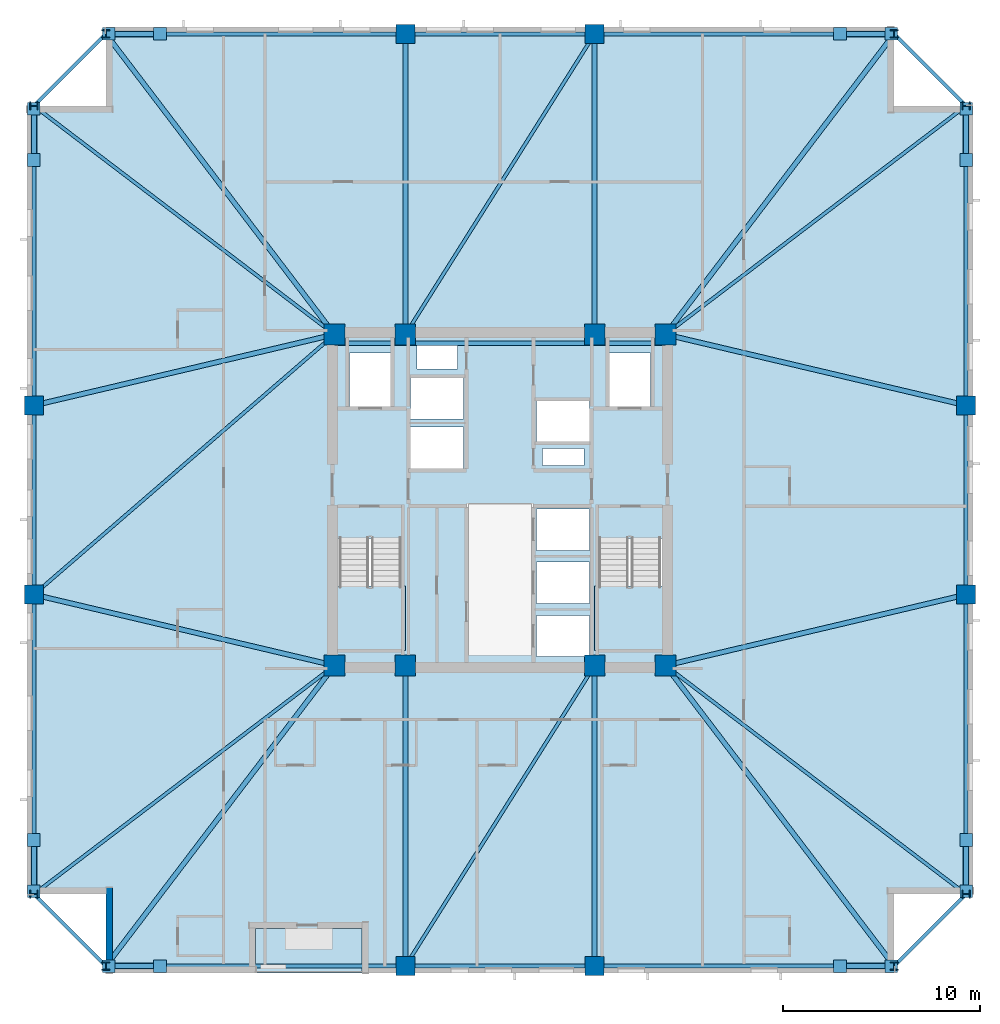
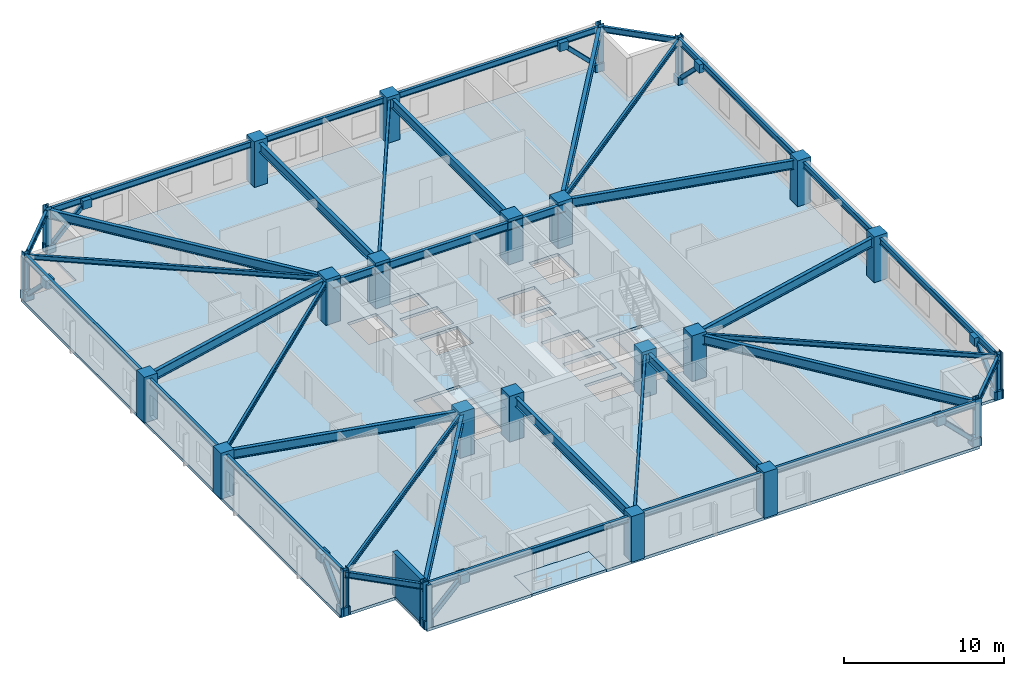
# One storey, part 1 of 11: 38 beams, 24 columns, 16 plates, 8 members, 4 slabs, 1 wall, 2 elements without a shape of their own.
"""IFC4 building model written with IfcOpenShell, lengths in metres."""

from ifc_helpers import new_model, si_unit, direction, frame, frame_2d, origin, origin_2d, place, context, subcontext, project, spatial, polyline, rectangle, hollow_rectangle, i_section, outline, extrude, material, layer, layer_set, material_profile, profile_set, type_object, element, aggregate, save


model = new_model("IFC4")

# Units and contexts
model_context = context("Model", 3, precision=1e-05, world=origin(), true_north=direction((0.0, 1.0)))
body_context = subcontext(model_context, "Body", "Model", "MODEL_VIEW")
ifc_project = project(units=[si_unit("LENGTHUNIT", "METRE"), si_unit("AREAUNIT", "SQUARE_METRE"), si_unit("VOLUMEUNIT", "CUBIC_METRE"), si_unit("PLANEANGLEUNIT", "RADIAN"), si_unit("MASSUNIT", "GRAM", prefix="KILO")], contexts=[model_context])

# Site, building, storey
site_placement = place(None, origin())
site = spatial("IfcSite", under=ifc_project, at=site_placement, CompositionType="ELEMENT")
building_placement = place(site_placement, origin())
building = spatial("IfcBuilding", under=site, at=building_placement, Name="Cairnveth Concourse Tower", CompositionType="ELEMENT")
storey_placement = place(building_placement, frame((0.0, 0.0, 141.0)))
storey = spatial("IfcBuildingStorey", under=building, at=storey_placement, Name="L38", CompositionType="ELEMENT", Elevation=141.0)

# Columns
ifc_material_1 = material(Name="Concrete N65 (65 MPa)", Category="concrete")
ifc_material_profile_1 = material_profile(ifc_material_1, rectangle(XDim=1.050048828125, YDim=1.050048828125, at=origin_2d()), Name="RC-COL-1050x1050")
ifc_profile_set_1 = profile_set([ifc_material_profile_1], Name="Concrete N65 (65 MPa)")
column_type_1 = type_object("IfcColumnType", Name="CORE COLUMN 1050X1050", PredefinedType="COLUMN", material=ifc_profile_set_1)
for number, where, z_axis, x_axis, name in (
    (1, (43.60009765625, 30.60009765625, 0.0), (0.0, 0.0, 1.0), (1.0, 0.0, 0.0), "Column CC1 L38"),
    (2, (47.199951171875, 30.60009765625, 0.0), (0.0, 0.0, 1.0), (1.0, 0.0, 0.0), "Column CC2 L38"),
    (3, (56.800048828125, 30.60009765625, 0.0), (0.0, 0.0, 1.0), (1.0, 0.0, 0.0), "Column CC3 L38"),
    (4, (60.39990234375, 30.60009765625, 0.0), (0.0, 0.0, 1.0), (1.0, 0.0, 0.0), "Column CC4 L38"),
    (5, (43.60009765625, 47.39990234375, 0.0), (0.0, 0.0, 1.0), (1.0, 0.0, 0.0), "Column CC5 L38"),
    (6, (47.199951171875, 47.39990234375, 0.0), (0.0, 0.0, 1.0), (1.0, 0.0, 0.0), "Column CC6 L38"),
    (7, (56.800048828125, 47.39990234375, 0.0), (0.0, 0.0, 1.0), (1.0, 0.0, 0.0), "Column CC7 L38"),
    (8, (60.39990234375, 47.39990234375, 0.0), (0.0, 0.0, 1.0), (1.0, 0.0, 0.0), "Column CC8 L38"),
):
    element("IfcColumn", number, at=place(storey_placement, frame(where, z_axis=z_axis, x_axis=x_axis)), inside=storey, type_object=column_type_1, Name=name, PredefinedType="COLUMN", context=body_context, shape_type="SweptSolid", body=[
        extrude(rectangle(XDim=1.050048828125, YDim=1.050048828125, at=origin_2d()), origin(), (0.0, 0.0, 1.0), 3.5),
    ])
ifc_material_profile_2 = material_profile(ifc_material_1, rectangle(XDim=0.949951171875, YDim=0.949951171875, at=origin_2d()), Name="RC-COL-950x950")
ifc_profile_set_2 = profile_set([ifc_material_profile_2], Name="Concrete N65 (65 MPa)")
column_type_2 = type_object("IfcColumnType", Name="PERIMETER PIER COLUMN 950X950", PredefinedType="COLUMN", material=ifc_profile_set_2)
for number, where, z_axis, x_axis, name in (
    (9, (47.199951171875, 15.35009765625, 0.0), (0.0, 0.0, 1.0), (1.0, 0.0, 0.0), "Column P-S2 L38"),
    (10, (56.800048828125, 15.35009765625, 0.0), (0.0, 0.0, 1.0), (1.0, 0.0, 0.0), "Column P-S3 L38"),
    (11, (75.64990234375, 34.199951171875, 0.0), (0.0, 0.0, 1.0), (0.0, 1.0, 0.0), "Column P-E2 L38"),
    (12, (75.64990234375, 43.800048828125, 0.0), (0.0, 0.0, 1.0), (0.0, 1.0, 0.0), "Column P-E3 L38"),
    (13, (56.800048828125, 62.64990234375, 0.0), (0.0, 0.0, 1.0), (1.0, 0.0, 0.0), "Column P-N2 L38"),
    (14, (47.199951171875, 62.64990234375, 0.0), (0.0, 0.0, 1.0), (1.0, 0.0, 0.0), "Column P-N3 L38"),
    (15, (28.35009765625, 43.800048828125, 0.0), (0.0, 0.0, 1.0), (0.0, 1.0, 0.0), "Column P-W2 L38"),
    (16, (28.35009765625, 34.199951171875, 0.0), (0.0, 0.0, 1.0), (0.0, 1.0, 0.0), "Column P-W3 L38"),
):
    element("IfcColumn", number, at=place(storey_placement, frame(where, z_axis=z_axis, x_axis=x_axis)), inside=storey, type_object=column_type_2, Name=name, PredefinedType="COLUMN", context=body_context, shape_type="SweptSolid", body=[
        extrude(rectangle(XDim=0.949951171875, YDim=0.949951171875, at=origin_2d()), origin(), (0.0, 0.0, 1.0), 3.5),
    ])
ifc_material_2 = material(Name="Steel Grade 350", Category="steel")
ifc_material_profile_3 = material_profile(ifc_material_2, i_section(OverallWidth=0.39990234375, OverallDepth=0.39990234375, WebThickness=0.02197265625, FlangeThickness=0.035888671875, at=origin_2d()), Name="400WC270")
ifc_profile_set_3 = profile_set([ifc_material_profile_3], Name="Steel Grade 350")
column_type_3 = type_object("IfcColumnType", Name="WELDED STEEL COLUMN 400WC270", PredefinedType="COLUMN", material=ifc_profile_set_3)
for number, where, z_axis, x_axis, name in (
    (17, (32.0, 15.35009765625, 0.0), (0.0, 0.0, 1.0), (1.0, 0.0, 0.0), "Column P-S1 L38"),
    (18, (72.0, 15.35009765625, 0.0), (0.0, 0.0, 1.0), (1.0, 0.0, 0.0), "Column P-S4 L38"),
    (19, (75.64990234375, 19.0, 0.0), (0.0, 0.0, 1.0), (0.0, 1.0, 0.0), "Column P-E1 L38"),
    (20, (75.64990234375, 59.0, 0.0), (0.0, 0.0, 1.0), (0.0, 1.0, 0.0), "Column P-E4 L38"),
    (21, (72.0, 62.64990234375, 0.0), (0.0, 0.0, 1.0), (1.0, 0.0, 0.0), "Column P-N1 L38"),
    (22, (32.0, 62.64990234375, 0.0), (0.0, 0.0, 1.0), (1.0, 0.0, 0.0), "Column P-N4 L38"),
    (23, (28.35009765625, 59.0, 0.0), (0.0, 0.0, 1.0), (0.0, 1.0, 0.0), "Column P-W1 L38"),
    (24, (28.35009765625, 19.0, 0.0), (0.0, 0.0, 1.0), (0.0, 1.0, 0.0), "Column P-W4 L38"),
):
    element("IfcColumn", number, at=place(storey_placement, frame(where, z_axis=z_axis, x_axis=x_axis)), inside=storey, type_object=column_type_3, Name=name, PredefinedType="COLUMN", context=body_context, shape_type="SweptSolid", body=[
        extrude(i_section(OverallWidth=0.39990234375, OverallDepth=0.39990234375, WebThickness=0.02197265625, FlangeThickness=0.035888671875, at=origin_2d()), origin(), (0.0, 0.0, 1.0), 3.5),
    ])

# Beams
ifc_material_profile_4 = material_profile(ifc_material_2, i_section(OverallWidth=0.22802734375, OverallDepth=0.60693359375, WebThickness=0.01123046875, FlangeThickness=0.017333984375, FilletRadius=0.013916015625, at=origin_2d()), Name="610UB113")
ifc_profile_set_4 = profile_set([ifc_material_profile_4], Name="Steel Grade 350")
beam_type_1 = type_object("IfcBeamType", Name="CORE TIE BEAM 610UB113", PredefinedType="T_BEAM", material=ifc_profile_set_4)
for number, where, z_axis, x_axis, name in (
    (25, (43.60009765625, 46.949951171875, 2.9765625), (1.0, 0.0, 0.0), (0.0, 1.0, 0.0), "Beam CT-N1 L38"),
    (26, (56.800048828125, 46.949951171875, 2.9765625), (1.0, 0.0, 0.0), (0.0, 1.0, 0.0), "Beam CT-N3 L38"),
):
    element("IfcBeam", number, at=place(storey_placement, frame(where, z_axis=z_axis, x_axis=x_axis)), inside=storey, type_object=beam_type_1, Name=name, PredefinedType="T_BEAM", context=body_context, shape_type="SweptSolid", body=[
        extrude(i_section(OverallWidth=0.22802734375, OverallDepth=0.60693359375, WebThickness=0.01123046875, FlangeThickness=0.017333984375, FilletRadius=0.013916015625, at=origin_2d()), origin(), (0.0, 0.0, 1.0), 3.599853515625),
    ])
beam_1_placement = place(storey_placement, frame((47.199951171875, 46.949951171875, 2.9765625), z_axis=(1.0, 0.0, 0.0), x_axis=(0.0, 1.0, 0.0)))
element("IfcBeam", 27, at=beam_1_placement, inside=storey, type_object=beam_type_1, Name="Beam CT-N2 L38", PredefinedType="T_BEAM", context=body_context, shape_type="SweptSolid", body=[
    extrude(i_section(OverallWidth=0.22802734375, OverallDepth=0.60693359375, WebThickness=0.01123046875, FlangeThickness=0.017333984375, FilletRadius=0.013916015625, at=origin_2d()), origin(), (0.0, 0.0, 1.0), 9.60009765625),
])
ifc_material_profile_5 = material_profile(ifc_material_2, i_section(OverallWidth=0.172119140625, OverallDepth=0.35888671875, WebThickness=0.008056640625, FlangeThickness=0.012939453125, FilletRadius=0.010986328125, at=origin_2d()), Name="360UB56.7")
ifc_profile_set_5 = profile_set([ifc_material_profile_5], Name="Steel Grade 350")
beam_type_2 = type_object("IfcBeamType", Name="ZONE 2 FLOOR JOIST 360UB56.7", PredefinedType="JOIST", material=ifc_profile_set_5)
for number, where, z_axis, x_axis, name in (
    (28, (28.35009765625, 19.0, 3.1005859375), (0.795908242904, 0.6054172684, 0.0), (-0.6054172684, 0.795908242904, 0.0), "Beam FJ-CSW2 L38"),
    (29, (75.64990234375, 19.0, 3.1005859375), (-0.795908242904, 0.6054172684, 0.0), (-0.6054172684, -0.795908242904, 0.0), "Beam FJ-CSE2 L38"),
    (30, (75.64990234375, 59.0, 3.1005859375), (-0.795908242904, -0.6054172684, 0.0), (0.6054172684, -0.795908242904, 0.0), "Beam FJ-CNE2 L38"),
    (31, (28.35009765625, 59.0, 3.1005859375), (0.795908242904, -0.6054172684, 0.0), (0.6054172684, 0.795908242904, 0.0), "Beam FJ-CNW2 L38"),
):
    element("IfcBeam", number, at=place(storey_placement, frame(where, z_axis=z_axis, x_axis=x_axis)), inside=storey, type_object=beam_type_2, Name=name, PredefinedType="JOIST", context=body_context, shape_type="SweptSolid", body=[
        extrude(i_section(OverallWidth=0.172119140625, OverallDepth=0.35888671875, WebThickness=0.008056640625, FlangeThickness=0.012939453125, FilletRadius=0.010986328125, at=origin_2d()), origin(), (0.0, 0.0, 1.0), 19.160400390625),
    ])
for number, where, z_axis, x_axis, name in (
    (32, (47.199951171875, 15.35009765625, 3.1005859375), (0.532743557037, 0.84627672923, 0.0), (-0.84627672923, 0.532743557037, 0.0), "Beam FJ-S-M1 L38"),
    (33, (47.199951171875, 47.39990234375, 3.1005859375), (0.532743557037, 0.84627672923, 0.0), (-0.84627672923, 0.532743557037, 0.0), "Beam FJ-N-M1 L38"),
):
    element("IfcBeam", number, at=place(storey_placement, frame(where, z_axis=z_axis, x_axis=x_axis)), inside=storey, type_object=beam_type_2, Name=name, PredefinedType="JOIST", context=body_context, shape_type="SweptSolid", body=[
        extrude(i_section(OverallWidth=0.172119140625, OverallDepth=0.35888671875, WebThickness=0.008056640625, FlangeThickness=0.012939453125, FilletRadius=0.010986328125, at=origin_2d()), origin(), (0.0, 0.0, 1.0), 18.02001953125),
    ])
beam_2_placement = place(storey_placement, frame((28.35009765625, 34.199951171875, 3.1005859375), z_axis=(0.756099107057, 0.654457134049, 0.0), x_axis=(-0.654457134049, 0.756099107057, 0.0)))
element("IfcBeam", 34, at=beam_2_placement, inside=storey, type_object=beam_type_2, Name="Beam FJ-W-M1 L38", PredefinedType="JOIST", context=body_context, shape_type="SweptSolid", body=[
    extrude(i_section(OverallWidth=0.172119140625, OverallDepth=0.35888671875, WebThickness=0.008056640625, FlangeThickness=0.012939453125, FilletRadius=0.010986328125, at=origin_2d()), origin(), (0.0, 0.0, 1.0), 20.16943359375),
])

# Members
ifc_material_3 = material(Name="Steel C350L0 (350 MPa)", Category="steel")
ifc_material_profile_6 = material_profile(ifc_material_3, hollow_rectangle(XDim=0.300048828125, YDim=0.300048828125, WallThickness=0.01611328125, InnerFilletRadius=0.01611328125, OuterFilletRadius=0.031982421875, at=origin_2d()), Name="300x300x16.0SHS")
ifc_profile_set_6 = profile_set([ifc_material_profile_6], Name="Steel C350L0 (350 MPa)")
member_type = type_object("IfcMemberType", Name="ZONE 2 PIER BRACE 300X300X16SHS", PredefinedType="BRACE", material=ifc_profile_set_6)
for number, where, z_axis, x_axis, name in (
    (35, (32.14990234375, 15.35009765625, 0.25), (0.709834195787, 0.0, 0.704368805735), (0.0, 1.0, 0.0), "Structural Brace PB-S1 L38"),
    (36, (71.85009765625, 15.35009765625, 0.25), (-0.709834195787, 0.0, 0.704368805735), (0.0, -1.0, 0.0), "Structural Brace PB-S2 L38"),
    (37, (32.14990234375, 62.64990234375, 0.25), (0.709834195787, 0.0, 0.704368805735), (0.0, 1.0, 0.0), "Structural Brace PB-N1 L38"),
    (38, (71.85009765625, 62.64990234375, 0.25), (-0.709834195787, 0.0, 0.704368805735), (0.0, -1.0, 0.0), "Structural Brace PB-N2 L38"),
    (39, (28.35009765625, 19.14990234375, 0.25), (0.0, 0.709834195787, 0.704368805735), (-1.0, 0.0, 0.0), "Structural Brace PB-W1 L38"),
    (40, (28.35009765625, 58.85009765625, 0.25), (0.0, -0.709834195787, 0.704368805735), (1.0, 0.0, 0.0), "Structural Brace PB-W2 L38"),
    (41, (75.64990234375, 19.14990234375, 0.25), (0.0, 0.709834195787, 0.704368805735), (-1.0, 0.0, 0.0), "Structural Brace PB-E1 L38"),
    (42, (75.64990234375, 58.85009765625, 0.25), (0.0, -0.709834195787, 0.704368805735), (1.0, 0.0, 0.0), "Structural Brace PB-E2 L38"),
):
    element("IfcMember", number, at=place(storey_placement, frame(where, z_axis=z_axis, x_axis=x_axis)), inside=storey, type_object=member_type, Name=name, PredefinedType="BRACE", context=body_context, shape_type="SweptSolid", body=[
        extrude(hollow_rectangle(XDim=0.300048828125, YDim=0.300048828125, WallThickness=0.01611328125, InnerFilletRadius=0.01611328125, OuterFilletRadius=0.031982421875, at=origin_2d()), origin(), (0.0, 0.0, 1.0), 3.6630859375),
    ])

# Beams
ifc_material_profile_7 = material_profile(ifc_material_2, i_section(OverallWidth=0.25, OverallDepth=0.699951171875, WebThickness=0.011962890625, FlangeThickness=0.028076171875, at=origin_2d()), Name="700WB173")
ifc_profile_set_7 = profile_set([ifc_material_profile_7], Name="Steel Grade 350")
beam_type_3 = type_object("IfcBeamType", Name="ZONE 2 RADIAL GIRDER 700WB173", PredefinedType="BEAM", material=ifc_profile_set_7)
for number, where, z_axis, x_axis, name in (
    (43, (47.199951171875, 15.35009765625, 2.929931640625), (0.0, 1.0, 0.0), (-1.0, 0.0, 0.0), "Beam RG-S1 L38"),
    (44, (56.800048828125, 15.35009765625, 2.929931640625), (0.0, 1.0, 0.0), (-1.0, 0.0, 0.0), "Beam RG-S2 L38"),
    (45, (47.199951171875, 47.39990234375, 2.929931640625), (0.0, 1.0, 0.0), (-1.0, 0.0, 0.0), "Beam RG-N1 L38"),
    (46, (56.800048828125, 47.39990234375, 2.929931640625), (0.0, 1.0, 0.0), (-1.0, 0.0, 0.0), "Beam RG-N2 L38"),
):
    element("IfcBeam", number, at=place(storey_placement, frame(where, z_axis=z_axis, x_axis=x_axis)), inside=storey, type_object=beam_type_3, Name=name, PredefinedType="BEAM", context=body_context, shape_type="SweptSolid", body=[
        extrude(i_section(OverallWidth=0.25, OverallDepth=0.699951171875, WebThickness=0.011962890625, FlangeThickness=0.028076171875, at=origin_2d()), origin(), (0.0, 0.0, 1.0), 15.25),
    ])
for number, where, z_axis, x_axis, name in (
    (47, (28.35009765625, 34.199951171875, 2.929931640625), (0.973251602929, -0.229741849468, 0.0), (0.229741849468, 0.973251602929, 0.0), "Beam RG-W1 L38"),
    (48, (28.35009765625, 43.800048828125, 2.929931640625), (0.973251602929, 0.229741849468, 0.0), (-0.229741849468, 0.973251602929, 0.0), "Beam RG-W2 L38"),
    (49, (60.39990234375, 30.60009765625, 2.929931640625), (0.973251602929, 0.229741849468, 0.0), (-0.229741849468, 0.973251602929, 0.0), "Beam RG-E1 L38"),
    (50, (60.39990234375, 47.39990234375, 2.929931640625), (0.973251602929, -0.229741849468, 0.0), (0.229741849468, 0.973251602929, 0.0), "Beam RG-E2 L38"),
):
    element("IfcBeam", number, at=place(storey_placement, frame(where, z_axis=z_axis, x_axis=x_axis)), inside=storey, type_object=beam_type_3, Name=name, PredefinedType="BEAM", context=body_context, shape_type="SweptSolid", body=[
        extrude(i_section(OverallWidth=0.25, OverallDepth=0.699951171875, WebThickness=0.011962890625, FlangeThickness=0.028076171875, at=origin_2d()), origin(), (0.0, 0.0, 1.0), 15.669189453125),
    ])
for number, where, z_axis, x_axis, name in (
    (51, (32.0, 15.35009765625, 2.929931640625), (0.6054172684, 0.795908242904, 0.0), (-0.795908242904, 0.6054172684, 0.0), "Beam RG-CSW L38"),
    (52, (72.0, 15.35009765625, 2.929931640625), (-0.6054172684, 0.795908242904, 0.0), (-0.795908242904, -0.6054172684, 0.0), "Beam RG-CSE L38"),
    (53, (72.0, 62.64990234375, 2.929931640625), (-0.6054172684, -0.795908242904, 0.0), (0.795908242904, -0.6054172684, 0.0), "Beam RG-CNE L38"),
    (54, (32.0, 62.64990234375, 2.929931640625), (0.6054172684, -0.795908242904, 0.0), (0.795908242904, 0.6054172684, 0.0), "Beam RG-CNW L38"),
):
    element("IfcBeam", number, at=place(storey_placement, frame(where, z_axis=z_axis, x_axis=x_axis)), inside=storey, type_object=beam_type_3, Name=name, PredefinedType="BEAM", context=body_context, shape_type="SweptSolid", body=[
        extrude(i_section(OverallWidth=0.25, OverallDepth=0.699951171875, WebThickness=0.011962890625, FlangeThickness=0.028076171875, at=origin_2d()), origin(), (0.0, 0.0, 1.0), 19.160400390625),
    ])
ifc_material_profile_8 = material_profile(ifc_material_2, i_section(OverallWidth=0.18994140625, OverallDepth=0.45703125, WebThickness=0.009033203125, FlangeThickness=0.014404296875, FilletRadius=0.010986328125, at=origin_2d()), Name="460UB74.6")
ifc_profile_set_8 = profile_set([ifc_material_profile_8], Name="Steel Grade 350")
beam_type_4 = type_object("IfcBeamType", Name="ZONE 2 SPANDREL BEAM 460UB74.6", PredefinedType="SPANDREL", material=ifc_profile_set_8)
beam_3_placement = place(storey_placement, frame((32.0, 15.35009765625, 3.051513671875), z_axis=(1.0, 0.0, 0.0), x_axis=(0.0, 1.0, 0.0)))
element("IfcBeam", 55, at=beam_3_placement, inside=storey, type_object=beam_type_4, Name="Beam SP-S1 L38", PredefinedType="SPANDREL", context=body_context, shape_type="SweptSolid", body=[
    extrude(i_section(OverallWidth=0.18994140625, OverallDepth=0.45703125, WebThickness=0.009033203125, FlangeThickness=0.014404296875, FilletRadius=0.010986328125, at=origin_2d()), origin(), (0.0, 0.0, 1.0), 15.199951171875),
])
beam_4_placement = place(storey_placement, frame((47.199951171875, 15.35009765625, 3.051513671875), z_axis=(1.0, 0.0, 0.0), x_axis=(0.0, 1.0, 0.0)))
element("IfcBeam", 56, at=beam_4_placement, inside=storey, type_object=beam_type_4, Name="Beam SP-S2 L38", PredefinedType="SPANDREL", context=body_context, shape_type="SweptSolid", body=[
    extrude(i_section(OverallWidth=0.18994140625, OverallDepth=0.45703125, WebThickness=0.009033203125, FlangeThickness=0.014404296875, FilletRadius=0.010986328125, at=origin_2d()), origin(), (0.0, 0.0, 1.0), 9.60009765625),
])
for number, where, z_axis, x_axis, name in (
    (57, (56.800048828125, 15.35009765625, 3.051513671875), (1.0, 0.0, 0.0), (0.0, 1.0, 0.0), "Beam SP-S3 L38"),
    (58, (32.0, 62.64990234375, 3.051513671875), (1.0, 0.0, 0.0), (0.0, 1.0, 0.0), "Beam SP-N1 L38"),
):
    element("IfcBeam", number, at=place(storey_placement, frame(where, z_axis=z_axis, x_axis=x_axis)), inside=storey, type_object=beam_type_4, Name=name, PredefinedType="SPANDREL", context=body_context, shape_type="SweptSolid", body=[
        extrude(i_section(OverallWidth=0.18994140625, OverallDepth=0.45703125, WebThickness=0.009033203125, FlangeThickness=0.014404296875, FilletRadius=0.010986328125, at=origin_2d()), origin(), (0.0, 0.0, 1.0), 15.199951171875),
    ])
beam_5_placement = place(storey_placement, frame((47.199951171875, 62.64990234375, 3.051513671875), z_axis=(1.0, 0.0, 0.0), x_axis=(0.0, 1.0, 0.0)))
element("IfcBeam", 59, at=beam_5_placement, inside=storey, type_object=beam_type_4, Name="Beam SP-N2 L38", PredefinedType="SPANDREL", context=body_context, shape_type="SweptSolid", body=[
    extrude(i_section(OverallWidth=0.18994140625, OverallDepth=0.45703125, WebThickness=0.009033203125, FlangeThickness=0.014404296875, FilletRadius=0.010986328125, at=origin_2d()), origin(), (0.0, 0.0, 1.0), 9.60009765625),
])
for number, where, z_axis, x_axis, name in (
    (60, (56.800048828125, 62.64990234375, 3.051513671875), (1.0, 0.0, 0.0), (0.0, 1.0, 0.0), "Beam SP-N3 L38"),
    (61, (28.35009765625, 19.0, 3.051513671875), (0.0, 1.0, 0.0), (-1.0, 0.0, 0.0), "Beam SP-W1 L38"),
):
    element("IfcBeam", number, at=place(storey_placement, frame(where, z_axis=z_axis, x_axis=x_axis)), inside=storey, type_object=beam_type_4, Name=name, PredefinedType="SPANDREL", context=body_context, shape_type="SweptSolid", body=[
        extrude(i_section(OverallWidth=0.18994140625, OverallDepth=0.45703125, WebThickness=0.009033203125, FlangeThickness=0.014404296875, FilletRadius=0.010986328125, at=origin_2d()), origin(), (0.0, 0.0, 1.0), 15.199951171875),
    ])
beam_6_placement = place(storey_placement, frame((28.35009765625, 34.199951171875, 3.051513671875), z_axis=(0.0, 1.0, 0.0), x_axis=(-1.0, 0.0, 0.0)))
element("IfcBeam", 62, at=beam_6_placement, inside=storey, type_object=beam_type_4, Name="Beam SP-W2 L38", PredefinedType="SPANDREL", context=body_context, shape_type="SweptSolid", body=[
    extrude(i_section(OverallWidth=0.18994140625, OverallDepth=0.45703125, WebThickness=0.009033203125, FlangeThickness=0.014404296875, FilletRadius=0.010986328125, at=origin_2d()), origin(), (0.0, 0.0, 1.0), 9.60009765625),
])
for number, where, z_axis, x_axis, name in (
    (63, (28.35009765625, 43.800048828125, 3.051513671875), (0.0, 1.0, 0.0), (-1.0, 0.0, 0.0), "Beam SP-W3 L38"),
    (64, (75.64990234375, 19.0, 3.051513671875), (0.0, 1.0, 0.0), (-1.0, 0.0, 0.0), "Beam SP-E1 L38"),
):
    element("IfcBeam", number, at=place(storey_placement, frame(where, z_axis=z_axis, x_axis=x_axis)), inside=storey, type_object=beam_type_4, Name=name, PredefinedType="SPANDREL", context=body_context, shape_type="SweptSolid", body=[
        extrude(i_section(OverallWidth=0.18994140625, OverallDepth=0.45703125, WebThickness=0.009033203125, FlangeThickness=0.014404296875, FilletRadius=0.010986328125, at=origin_2d()), origin(), (0.0, 0.0, 1.0), 15.199951171875),
    ])
beam_7_placement = place(storey_placement, frame((75.64990234375, 34.199951171875, 3.051513671875), z_axis=(0.0, 1.0, 0.0), x_axis=(-1.0, 0.0, 0.0)))
element("IfcBeam", 65, at=beam_7_placement, inside=storey, type_object=beam_type_4, Name="Beam SP-E2 L38", PredefinedType="SPANDREL", context=body_context, shape_type="SweptSolid", body=[
    extrude(i_section(OverallWidth=0.18994140625, OverallDepth=0.45703125, WebThickness=0.009033203125, FlangeThickness=0.014404296875, FilletRadius=0.010986328125, at=origin_2d()), origin(), (0.0, 0.0, 1.0), 9.60009765625),
])
beam_8_placement = place(storey_placement, frame((75.64990234375, 43.800048828125, 3.051513671875), z_axis=(0.0, 1.0, 0.0), x_axis=(-1.0, 0.0, 0.0)))
element("IfcBeam", 66, at=beam_8_placement, inside=storey, type_object=beam_type_4, Name="Beam SP-E3 L38", PredefinedType="SPANDREL", context=body_context, shape_type="SweptSolid", body=[
    extrude(i_section(OverallWidth=0.18994140625, OverallDepth=0.45703125, WebThickness=0.009033203125, FlangeThickness=0.014404296875, FilletRadius=0.010986328125, at=origin_2d()), origin(), (0.0, 0.0, 1.0), 15.199951171875),
])
for number, where, z_axis, x_axis, name in (
    (67, (28.35009765625, 19.0, 3.051513671875), (0.707106781187, -0.707106781187, 0.0), (0.707106781187, 0.707106781187, 0.0), "Beam SP-SW L38"),
    (68, (72.0, 15.35009765625, 3.051513671875), (0.707106781187, 0.707106781187, 0.0), (-0.707106781187, 0.707106781187, 0.0), "Beam SP-SE L38"),
    (69, (72.0, 62.64990234375, 3.051513671875), (0.707106781187, -0.707106781187, 0.0), (0.707106781187, 0.707106781187, 0.0), "Beam SP-NE L38"),
    (70, (28.35009765625, 59.0, 3.051513671875), (0.707106781187, 0.707106781187, 0.0), (-0.707106781187, 0.707106781187, 0.0), "Beam SP-NW L38"),
):
    element("IfcBeam", number, at=place(storey_placement, frame(where, z_axis=z_axis, x_axis=x_axis)), inside=storey, type_object=beam_type_4, Name=name, PredefinedType="SPANDREL", context=body_context, shape_type="SweptSolid", body=[
        extrude(i_section(OverallWidth=0.18994140625, OverallDepth=0.45703125, WebThickness=0.009033203125, FlangeThickness=0.014404296875, FilletRadius=0.010986328125, at=origin_2d()), origin(), (0.0, 0.0, 1.0), 5.16162109375),
    ])

# Slab
ifc_material_4 = material(Name="Concrete N50 (50 MPa)", Category="concrete")
ifc_layer_1 = layer(ifc_material_4, 0.219970703125)
ifc_layer_set_1 = layer_set([ifc_layer_1], Name="Concrete N50 (50 MPa)")
slab_type_1 = type_object("IfcSlabType", Name="LOWER TOWER COMPOSITE SLAB 220", PredefinedType="FLOOR", material=ifc_layer_set_1)
slab_1_placement = place(storey_placement, frame((0.0, 0.0, -0.219970703125)))
element("IfcSlab", 71, at=slab_1_placement, inside=storey, type_object=slab_type_1, Name="Tower Floor Slab L38", PredefinedType="FLOOR", context=body_context, shape_type="SweptSolid", body=[
    extrude(outline(polyline([(39.60009765625, 15.0), (39.60009765625, 17.25), (45.0, 17.25), (45.0, 15.0), (72.0, 15.0), (72.0, 19.0), (76.0, 19.0), (76.0, 59.0), (72.0, 59.0), (72.0, 63.0), (32.0, 63.0), (32.0, 59.0), (28.0, 59.0), (28.0, 19.0), (32.0, 19.0), (32.0, 15.0), (39.60009765625, 15.0)]), holes=[polyline([(43.760009765625, 31.360107421875), (47.06005859375, 31.360107421875), (47.06005859375, 37.0400390625), (43.760009765625, 37.0400390625), (43.760009765625, 31.360107421875)]), polyline([(56.93994140625, 31.360107421875), (60.239990234375, 31.360107421875), (60.239990234375, 37.0400390625), (56.93994140625, 37.0400390625), (56.93994140625, 31.360107421875)]), polyline([(44.3701171875, 43.75), (46.469970703125, 43.75), (46.469970703125, 46.449951171875), (44.3701171875, 46.449951171875), (44.3701171875, 43.75)]), polyline([(57.530029296875, 43.75), (59.6298828125, 43.75), (59.6298828125, 46.449951171875), (57.530029296875, 46.449951171875), (57.530029296875, 43.75)]), polyline([(53.85009765625, 31.050048828125), (56.550048828125, 31.050048828125), (56.550048828125, 33.14990234375), (53.85009765625, 33.14990234375), (53.85009765625, 31.050048828125)]), polyline([(53.85009765625, 33.75), (56.550048828125, 33.75), (56.550048828125, 35.85009765625), (53.85009765625, 35.85009765625), (53.85009765625, 33.75)]), polyline([(53.85009765625, 36.449951171875), (56.550048828125, 36.449951171875), (56.550048828125, 38.550048828125), (53.85009765625, 38.550048828125), (53.85009765625, 36.449951171875)]), polyline([(47.449951171875, 40.60009765625), (50.14990234375, 40.60009765625), (50.14990234375, 42.699951171875), (47.449951171875, 42.699951171875), (47.449951171875, 40.60009765625)]), polyline([(47.449951171875, 43.10009765625), (50.14990234375, 43.10009765625), (50.14990234375, 45.199951171875), (47.449951171875, 45.199951171875), (47.449951171875, 43.10009765625)]), polyline([(53.85009765625, 41.949951171875), (56.550048828125, 41.949951171875), (56.550048828125, 44.050048828125), (53.85009765625, 44.050048828125), (53.85009765625, 41.949951171875)]), polyline([(47.800048828125, 45.64990234375), (49.85009765625, 45.64990234375), (49.85009765625, 47.050048828125), (47.800048828125, 47.050048828125), (47.800048828125, 45.64990234375)]), polyline([(54.14990234375, 40.75), (56.25, 40.75), (56.25, 41.6201171875), (54.14990234375, 41.6201171875), (54.14990234375, 40.75)])]), origin(), (0.0, 0.0, 1.0), 0.219970703125),
])

# Plates
ifc_layer_2 = layer(ifc_material_2, 0.031982421875)
ifc_layer_set_2 = layer_set([ifc_layer_2], Name="Steel Grade 350")
plate_type = type_object("IfcPlateType", Name="PERIMETER BRACE GUSSET PLATE 32", PredefinedType="USERDEFINED", material=ifc_layer_set_2)
for number, where, z_axis, x_axis, name in (
    (72, (32.14990234375, 15.35009765625, -0.06982421875), (0.0, 0.0, 1.0), (1.0, 0.0, 0.0), "Structural Node Plate 0641 L38"),
    (73, (34.75, 15.35009765625, 2.51025390625), (0.0, 0.0, 1.0), (1.0, 0.0, 0.0), "Structural Node Plate 0642 L38"),
    (74, (71.85009765625, 15.35009765625, -0.06982421875), (0.0, 0.0, 1.0), (1.0, 0.0, 0.0), "Structural Node Plate 0643 L38"),
    (75, (69.25, 15.35009765625, 2.51025390625), (0.0, 0.0, 1.0), (1.0, 0.0, 0.0), "Structural Node Plate 0644 L38"),
    (76, (32.14990234375, 62.64990234375, -0.06982421875), (0.0, 0.0, 1.0), (1.0, 0.0, 0.0), "Structural Node Plate 0645 L38"),
    (77, (34.75, 62.64990234375, 2.51025390625), (0.0, 0.0, 1.0), (1.0, 0.0, 0.0), "Structural Node Plate 0646 L38"),
    (78, (71.85009765625, 62.64990234375, -0.06982421875), (0.0, 0.0, 1.0), (1.0, 0.0, 0.0), "Structural Node Plate 0647 L38"),
    (79, (69.25, 62.64990234375, 2.51025390625), (0.0, 0.0, 1.0), (1.0, 0.0, 0.0), "Structural Node Plate 0648 L38"),
    (80, (28.35009765625, 19.14990234375, -0.06982421875), (0.0, 0.0, 1.0), (1.0, 0.0, 0.0), "Structural Node Plate 0649 L38"),
    (81, (28.35009765625, 21.75, 2.51025390625), (0.0, 0.0, 1.0), (1.0, 0.0, 0.0), "Structural Node Plate 0650 L38"),
    (82, (28.35009765625, 58.85009765625, -0.06982421875), (0.0, 0.0, 1.0), (1.0, 0.0, 0.0), "Structural Node Plate 0651 L38"),
    (83, (28.35009765625, 56.25, 2.51025390625), (0.0, 0.0, 1.0), (1.0, 0.0, 0.0), "Structural Node Plate 0652 L38"),
    (84, (75.64990234375, 19.14990234375, -0.06982421875), (0.0, 0.0, 1.0), (1.0, 0.0, 0.0), "Structural Node Plate 0653 L38"),
    (85, (75.64990234375, 21.75, 2.51025390625), (0.0, 0.0, 1.0), (1.0, 0.0, 0.0), "Structural Node Plate 0654 L38"),
    (86, (75.64990234375, 58.85009765625, -0.06982421875), (0.0, 0.0, 1.0), (1.0, 0.0, 0.0), "Structural Node Plate 0655 L38"),
    (87, (75.64990234375, 56.25, 2.51025390625), (0.0, 0.0, 1.0), (1.0, 0.0, 0.0), "Structural Node Plate 0656 L38"),
):
    element("IfcPlate", number, at=place(storey_placement, frame(where, z_axis=z_axis, x_axis=x_axis)), inside=storey, type_object=plate_type, Name=name, ObjectType="GUSSET PLATE", PredefinedType="USERDEFINED", context=body_context, shape_type="SweptSolid", body=[
        extrude(rectangle(XDim=0.639892578125, YDim=0.639892578125, at=origin_2d()), origin(), (0.0, 0.0, 1.0), 0.639892578125),
    ])

# Slab
ifc_layer_3 = layer(ifc_material_4, 0.18994140625)
ifc_layer_set_3 = layer_set([ifc_layer_3], Name="Concrete N50 (50 MPa)")
slab_type_2 = type_object("IfcSlabType", Name="SPIRAL OUTDOOR TERRACE SLAB 190", PredefinedType="FLOOR", material=ifc_layer_set_3)
slab_2_placement = place(storey_placement, frame((0.0, 0.0, -0.18994140625)))
element("IfcSlab", 88, at=slab_2_placement, inside=storey, type_object=slab_type_2, Name="Spiral Terrace Slab L38", PredefinedType="FLOOR", context=body_context, shape_type="SweptSolid", body=[
    extrude(outline(polyline([(39.60009765625, 15.0), (45.0, 15.0), (45.0, 17.25), (39.60009765625, 17.25), (39.60009765625, 15.0)])), origin(), (0.0, 0.0, 1.0), 0.18994140625),
])

# Stair, slab
ifc_material_5 = material(Name="Precast concrete N50 (50 MPa)", Category="concrete")
stair_type = type_object("IfcStairType", Name="CORE DOG-LEG FIRE STAIR 1500", PredefinedType="HALF_TURN_STAIR", material=ifc_material_5)
stair_1_placement = place(storey_placement, origin())
stair_1 = element("IfcStair", 89, at=stair_1_placement, inside=storey, type_object=stair_type, Name="L38 Fire-Isolated Stair ST-1", PredefinedType="HALF_TURN_STAIR")
ifc_layer_4 = layer(ifc_material_4, 0.199951171875)
ifc_layer_set_4 = layer_set([ifc_layer_4], Name="Concrete N50 (50 MPa)")
slab_type_3 = type_object("IfcSlabType", Name="STAIR HALF LANDING SLAB 200", PredefinedType="LANDING", material=ifc_layer_set_4)
slab_3_placement = place(storey_placement, frame((0.0, 0.0, 1.550048828125)))
slab_3 = element("IfcSlab", 90, at=slab_3_placement, type_object=slab_type_3, Name="ST-1 landing 1", PredefinedType="LANDING", context=body_context, shape_type="SweptSolid", body=[
    extrude(outline(polyline([(43.6201171875, 34.639892578125), (43.6201171875, 31.3701171875), (47.199951171875, 31.3701171875), (47.199951171875, 34.639892578125), (43.6201171875, 34.639892578125)])), origin(), (0.0, 0.0, 1.0), 0.199951171875),
])
aggregate(stair_1, [slab_3])

stair_2_placement = place(storey_placement, origin())
stair_2 = element("IfcStair", 91, at=stair_2_placement, inside=storey, type_object=stair_type, Name="L38 Fire-Isolated Stair ST-2", PredefinedType="HALF_TURN_STAIR")
slab_4_placement = place(storey_placement, frame((0.0, 0.0, 1.550048828125)))
slab_4 = element("IfcSlab", 92, at=slab_4_placement, type_object=slab_type_3, Name="ST-2 landing 1", PredefinedType="LANDING", context=body_context, shape_type="SweptSolid", body=[
    extrude(outline(polyline([(56.800048828125, 34.639892578125), (56.800048828125, 31.3701171875), (60.3798828125, 31.3701171875), (60.3798828125, 34.639892578125), (56.800048828125, 34.639892578125)])), origin(), (0.0, 0.0, 1.0), 0.199951171875),
])
aggregate(stair_2, [slab_4])

# Wall
ifc_material_6 = material(Name="Hawthorn Red-Ochre Fired Clay Brick Masonry", Category="masonry")
ifc_layer_5 = layer(ifc_material_6, 0.340087890625)
ifc_layer_set_5 = layer_set([ifc_layer_5], Name="Hawthorn Red-Ochre Fired Clay Brick Masonry")
wall_type = type_object("IfcWallType", Name="ZONE 2 BRICK PIER SPANDREL WALL 340", PredefinedType="SOLIDWALL", material=ifc_layer_set_5)
wall_placement = place(storey_placement, frame((32.169921875, 15.0, 0.0), z_axis=(0.0, 0.0, 1.0), x_axis=(0.0, 1.0, 0.0)))
element("IfcWall", 93, at=wall_placement, inside=storey, type_object=wall_type, Name="Exterior Wall EW-L38-S01", PredefinedType="SOLIDWALL", context=body_context, shape_type="SweptSolid", body=[
    extrude(rectangle(XDim=4.340087890625, YDim=0.340087890625, at=frame_2d((2.169921875, 0.0))), origin(), (0.0, 0.0, 1.0), 3.280029296875),
])

save(model, "model.ifc")
